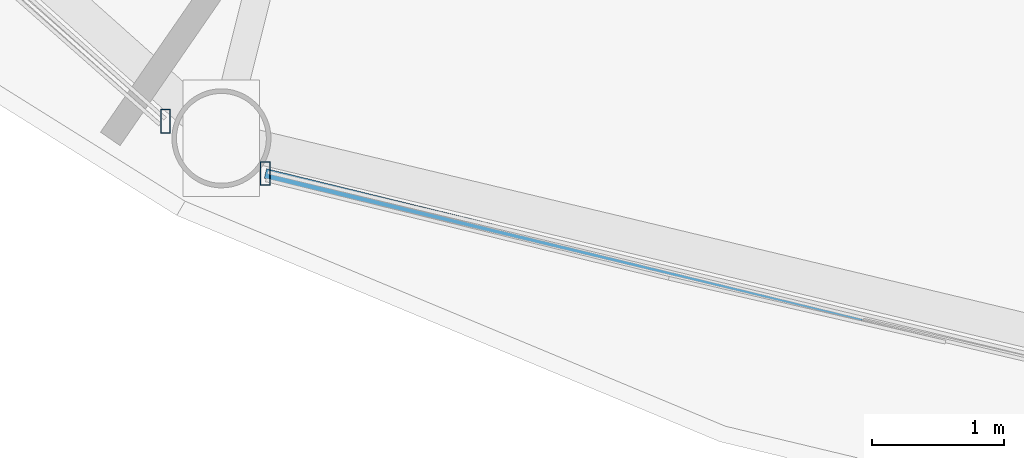
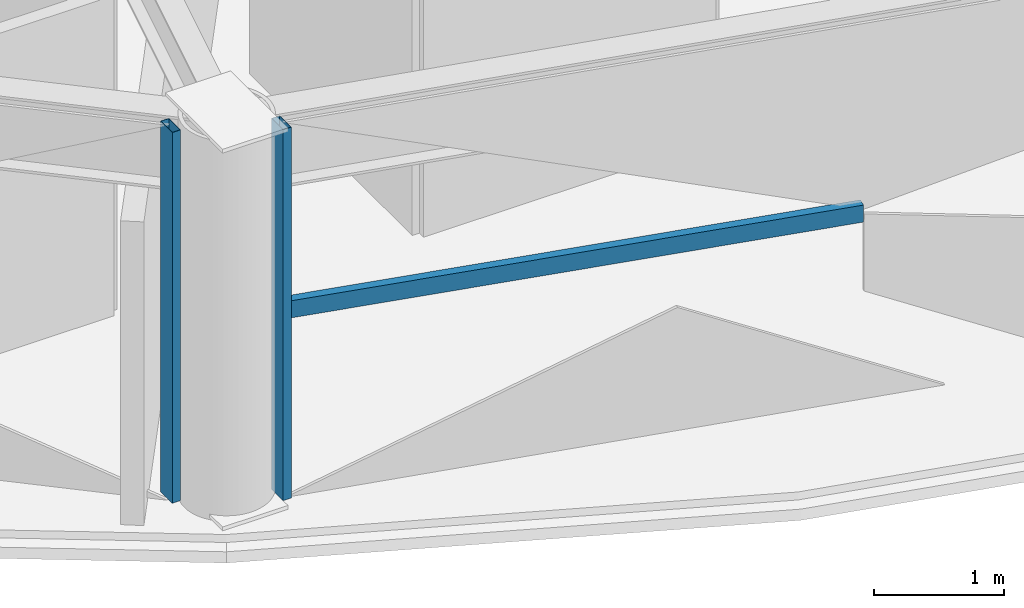
# One storey, part 2 of 31: 3 members, 2 elements without a shape of their own.
"""IFC4 building model written with IfcOpenShell, lengths in metres."""

from ifc_helpers import new_model, si_unit, direction, frame, origin, origin_2d, place, context, subcontext, project, spatial, hollow_rectangle, extrude, material, layer, layer_set, material_profile, profile_set, type_object, element, aggregate, save


model = new_model("IFC4")

# Units and contexts
model_context = context("Model", 3, precision=1e-05, world=origin(), true_north=direction((0.0, 1.0)))
body_context = subcontext(model_context, "Body", "Model", "MODEL_VIEW")
ifc_project = project(units=[si_unit("LENGTHUNIT", "METRE"), si_unit("AREAUNIT", "SQUARE_METRE"), si_unit("VOLUMEUNIT", "CUBIC_METRE"), si_unit("PLANEANGLEUNIT", "RADIAN"), si_unit("MASSUNIT", "GRAM", prefix="KILO")], contexts=[model_context])

# Site, building, storey
site_placement = place(None, origin())
site = spatial("IfcSite", under=ifc_project, at=site_placement, CompositionType="ELEMENT")
building_placement = place(site_placement, origin())
building = spatial("IfcBuilding", under=site, at=building_placement, Name="Vantalir Tower", CompositionType="ELEMENT")
storey_placement = place(building_placement, frame((0.0, 0.0, 115.949951171875)))
storey = spatial("IfcBuildingStorey", under=building, at=storey_placement, Name="L28", CompositionType="ELEMENT", Elevation=115.949951171875)

# Curtain wall, member
ifc_material_1 = material(Name="Champagne-silver PVDF aluminium and double-silver Low-E glass", Category="aluminium")
ifc_layer = layer(ifc_material_1, 0.199951171875)
ifc_layer_set = layer_set([ifc_layer], Name="Champagne-silver PVDF aluminium and double-silver Low-E glass")
curtain_wall_type = type_object("IfcCurtainWallType", Name="CW-DIAMOND-Z2", PredefinedType="USERDEFINED", material=ifc_layer_set)
curtain_wall_1_placement = place(storey_placement, origin())
curtain_wall_1 = element("IfcCurtainWall", 1, at=curtain_wall_1_placement, inside=storey, type_object=curtain_wall_type, Name="L28 Quilted Pyramid-Diamond Curtain Wall S08", ObjectType="UNITISED CURTAIN WALL", PredefinedType="USERDEFINED")
ifc_material_2 = material(Name="Champagne-silver PVDF aluminium 6063-T6", Category="aluminium")
ifc_material_profile_1 = material_profile(ifc_material_2, hollow_rectangle(XDim=0.074951171875, YDim=0.179931640625, WallThickness=0.00390625, at=origin_2d()), Name="Champagne-silver PVDF aluminium 6063-T6")
ifc_profile_set_1 = profile_set([ifc_material_profile_1], Name="Champagne-silver PVDF aluminium 6063-T6")
member_type_1 = type_object("IfcMemberType", Name="CWM-180x75", PredefinedType="MULLION", material=ifc_profile_set_1)
member_1_placement = place(storey_placement, frame((18.406982421875, 5.5859375, 0.045166015625), z_axis=(0.0, 0.0, 1.0), x_axis=(1.0, 0.0, 0.0)))
member_1 = element("IfcMember", 2, at=member_1_placement, type_object=member_type_1, Name="CW-L28-S08 Mullion 2", PredefinedType="MULLION", context=body_context, shape_type="SweptSolid", body=[
    extrude(hollow_rectangle(XDim=0.074951171875, YDim=0.179931640625, WallThickness=0.00390625, at=origin_2d()), origin(), (0.0, 0.0, 1.0), 3.47998046875),
])
aggregate(curtain_wall_1, [member_1])

# Curtain wall, members
curtain_wall_2_placement = place(storey_placement, origin())
curtain_wall_2 = element("IfcCurtainWall", 3, at=curtain_wall_2_placement, inside=storey, type_object=curtain_wall_type, Name="L28 Quilted Pyramid-Diamond Curtain Wall S09", ObjectType="UNITISED CURTAIN WALL", PredefinedType="USERDEFINED")
member_2_placement = place(storey_placement, frame((19.1630859375, 5.19091796875, 0.045166015625), z_axis=(0.0, 0.0, 1.0), x_axis=(1.0, 0.0, 0.0)))
member_2 = element("IfcMember", 4, at=member_2_placement, type_object=member_type_1, Name="CW-L28-S09 Mullion 1", PredefinedType="MULLION", context=body_context, shape_type="SweptSolid", body=[
    extrude(hollow_rectangle(XDim=0.074951171875, YDim=0.179931640625, WallThickness=0.00390625, at=origin_2d()), origin(), (0.0, 0.0, 1.0), 3.47998046875),
])
ifc_material_profile_2 = material_profile(ifc_material_2, hollow_rectangle(XDim=0.074951171875, YDim=0.159912109375, WallThickness=0.00390625, at=origin_2d()), Name="Champagne-silver PVDF aluminium 6063-T6")
ifc_profile_set_2 = profile_set([ifc_material_profile_2], Name="Champagne-silver PVDF aluminium 6063-T6")
member_type_2 = type_object("IfcMemberType", Name="CWT-160x75", PredefinedType="USERDEFINED", material=ifc_profile_set_2)
member_3_placement = place(storey_placement, frame((19.1630859375, 5.19091796875, 1.78515625), z_axis=(0.971404658028, -0.237429969385, 0.0), x_axis=(0.237429969385, 0.971404658028, 0.0)))
member_3 = element("IfcMember", 5, at=member_3_placement, type_object=member_type_2, Name="CW-L28-S09 Pyramid Fold Ridge Transom", ObjectType="TRANSOM", PredefinedType="USERDEFINED", context=body_context, shape_type="SweptSolid", body=[
    extrude(hollow_rectangle(XDim=0.074951171875, YDim=0.159912109375, WallThickness=0.00390625, at=origin_2d()), origin(), (0.0, 0.0, 1.0), 4.64990234375),
])
aggregate(curtain_wall_2, [member_2, member_3])

save(model, "model.ifc")
